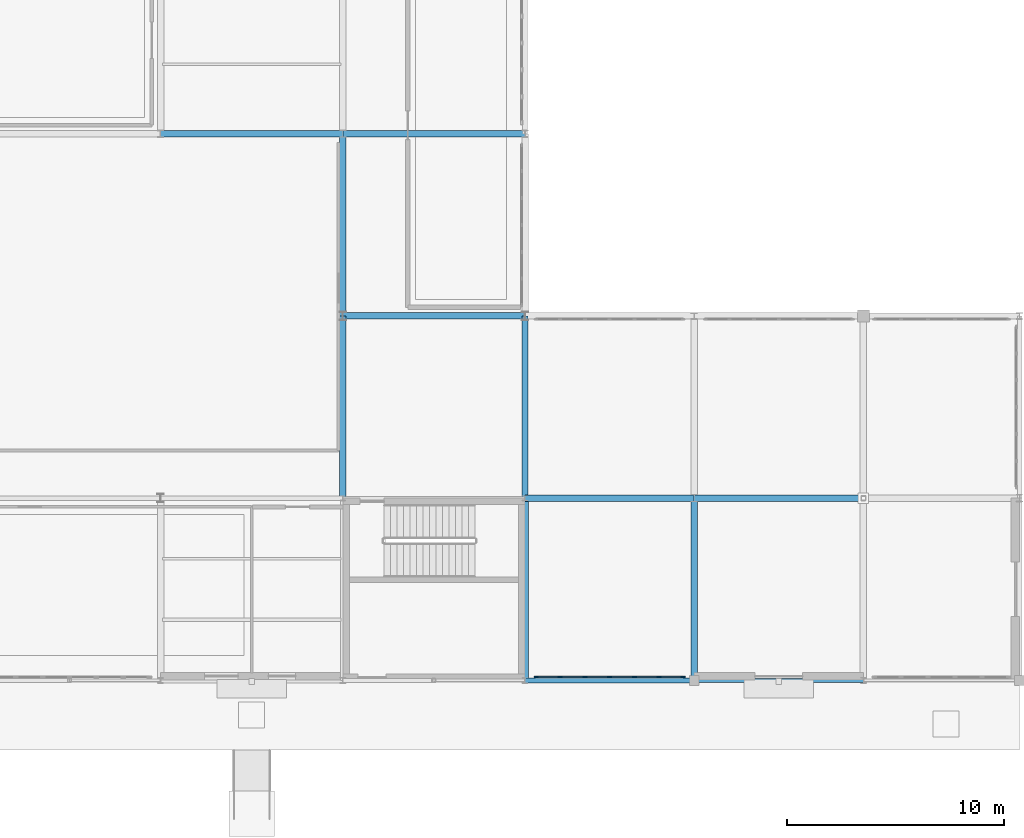
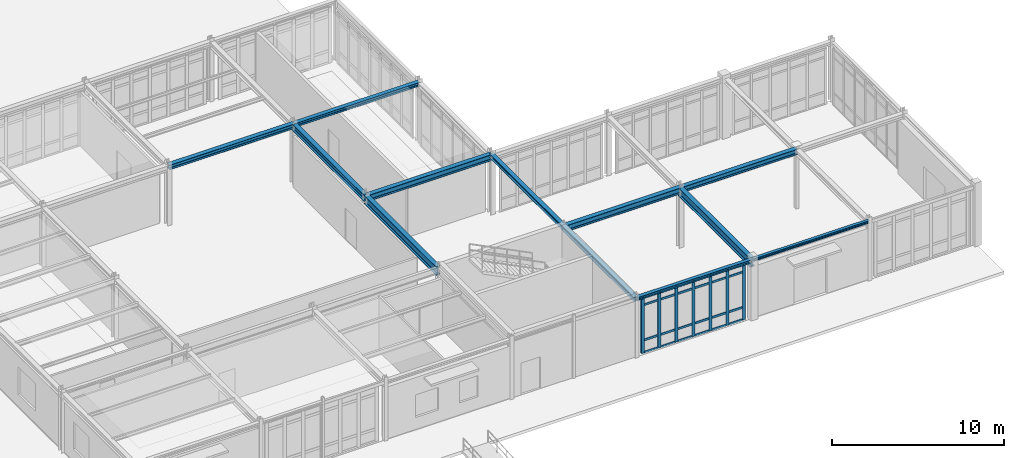
# One storey, part 51 of 101: 31 members, 12 beams, 1 element without a shape of its own.
"""IFC4 building model written with IfcOpenShell, lengths in metres."""

from ifc_helpers import new_model, si_unit, derived_unit, direction, frame, origin, origin_2d, place, context, subcontext, project, spatial, rectangle, i_section, extrude, material, layer, layer_set, material_profile, profile_set, type_object, element, aggregate, save


model = new_model("IFC4")

# Units and contexts
model_context = context("Model", 3, precision=1e-05, world=origin(), true_north=direction((0.0, 1.0)))
body_context = subcontext(model_context, "Body", "Model", "MODEL_VIEW")
ifc_project = project(units=[si_unit("LENGTHUNIT", "METRE"), si_unit("AREAUNIT", "SQUARE_METRE"), si_unit("VOLUMEUNIT", "CUBIC_METRE"), si_unit("PLANEANGLEUNIT", "RADIAN"), si_unit("MASSUNIT", "GRAM", prefix="KILO"), derived_unit("THERMALTRANSMITTANCEUNIT", [(si_unit("POWERUNIT", "WATT"), 1), (si_unit("AREAUNIT", "SQUARE_METRE"), -1), (si_unit("THERMODYNAMICTEMPERATUREUNIT", "KELVIN"), -1)])], contexts=[model_context])

# Site, building, storey
site_placement = place(None, origin())
site = spatial("IfcSite", under=ifc_project, at=site_placement, CompositionType="ELEMENT")
building_placement = place(site_placement, origin())
building = spatial("IfcBuilding", under=site, at=building_placement, Name="Yasenodar Specialist Clinic", CompositionType="ELEMENT")
storey_placement = place(building_placement, origin())
storey = spatial("IfcBuildingStorey", under=building, at=storey_placement, Name="L00", CompositionType="ELEMENT", Elevation=0.0)

# Beams
ifc_material_1 = material(Name="Steel S355", Category="steel")
ifc_material_profile_1 = material_profile(ifc_material_1, i_section(OverallWidth=0.280029296875, OverallDepth=0.27001953125, WebThickness=0.008056640625, FlangeThickness=0.012939453125, FilletRadius=0.02392578125, at=origin_2d()), Name="HEA 280")
ifc_profile_set_1 = profile_set([ifc_material_profile_1], Name="Steel S355")
beam_type_1 = type_object("IfcBeamType", Name="BM-HEA280", PredefinedType="BEAM", material=ifc_profile_set_1)
beam_1_placement = place(storey_placement, frame((130.199951171875, 25.199951171875, 4.114990234375), z_axis=(1.0, 0.0, 0.0), x_axis=(0.0, 1.0, 0.0)))
element("IfcBeam", 1, at=beam_1_placement, inside=storey, type_object=beam_type_1, Name="L00 Primary E-W Girder", PredefinedType="BEAM", context=body_context, shape_type="SweptSolid", body=[
    extrude(i_section(OverallWidth=0.280029296875, OverallDepth=0.27001953125, WebThickness=0.008056640625, FlangeThickness=0.012939453125, FilletRadius=0.02392578125, at=origin_2d()), origin(), (0.0, 0.0, 1.0), 8.400146484375),
])
ifc_material_profile_2 = material_profile(ifc_material_1, i_section(OverallWidth=0.300048828125, OverallDepth=0.330078125, WebThickness=0.009521484375, FlangeThickness=0.0166015625, FilletRadius=0.027099609375, at=origin_2d()), Name="HEA 340")
ifc_profile_set_2 = profile_set([ifc_material_profile_2], Name="Steel S355")
beam_type_2 = type_object("IfcBeamType", Name="BM-HEA340", PredefinedType="BEAM", material=ifc_profile_set_2)
beam_2_placement = place(storey_placement, frame((121.800048828125, 25.199951171875, 4.0849609375), z_axis=(1.0, 0.0, 0.0), x_axis=(0.0, 1.0, 0.0)))
element("IfcBeam", 2, at=beam_2_placement, inside=storey, type_object=beam_type_2, Name="L00 Primary E-W Girder", PredefinedType="BEAM", context=body_context, shape_type="SweptSolid", body=[
    extrude(i_section(OverallWidth=0.300048828125, OverallDepth=0.330078125, WebThickness=0.009521484375, FlangeThickness=0.0166015625, FilletRadius=0.027099609375, at=origin_2d()), origin(), (0.0, 0.0, 1.0), 8.39990234375),
])
ifc_material_profile_3 = material_profile(ifc_material_1, i_section(OverallWidth=0.300048828125, OverallDepth=0.389892578125, WebThickness=0.010986328125, FlangeThickness=0.01904296875, FilletRadius=0.027099609375, at=origin_2d()), Name="HEA 400")
ifc_profile_set_3 = profile_set([ifc_material_profile_3], Name="Steel S355")
beam_type_3 = type_object("IfcBeamType", Name="BM-HEA400", PredefinedType="BEAM", material=ifc_profile_set_3)
beam_3_placement = place(storey_placement, frame((146.39990234375, 8.39990234375, 4.054931640625), z_axis=(1.0, 0.0, 0.0), x_axis=(0.0, 1.0, 0.0)))
element("IfcBeam", 3, at=beam_3_placement, inside=storey, type_object=beam_type_3, Name="L00 Primary E-W Girder", PredefinedType="BEAM", context=body_context, shape_type="SweptSolid", body=[
    extrude(i_section(OverallWidth=0.300048828125, OverallDepth=0.389892578125, WebThickness=0.010986328125, FlangeThickness=0.01904296875, FilletRadius=0.027099609375, at=origin_2d()), origin(), (0.0, 0.0, 1.0), 7.800048828125),
])
ifc_material_profile_4 = material_profile(ifc_material_1, i_section(OverallWidth=0.300048828125, OverallDepth=0.43994140625, WebThickness=0.011474609375, FlangeThickness=0.02099609375, FilletRadius=0.027099609375, at=origin_2d()), Name="HEA 450")
ifc_profile_set_4 = profile_set([ifc_material_profile_4], Name="Steel S355")
beam_type_4 = type_object("IfcBeamType", Name="BM-HEA450", PredefinedType="BEAM", material=ifc_profile_set_4)
beam_4_placement = place(storey_placement, frame((138.60009765625, 8.39990234375, 4.030029296875), z_axis=(1.0, 0.0, 0.0), x_axis=(0.0, 1.0, 0.0)))
element("IfcBeam", 4, at=beam_4_placement, inside=storey, type_object=beam_type_4, Name="L00 Primary E-W Girder", PredefinedType="BEAM", context=body_context, shape_type="SweptSolid", body=[
    extrude(i_section(OverallWidth=0.300048828125, OverallDepth=0.43994140625, WebThickness=0.011474609375, FlangeThickness=0.02099609375, FilletRadius=0.027099609375, at=origin_2d()), origin(), (0.0, 0.0, 1.0), 7.7998046875),
])
beam_5_placement = place(storey_placement, frame((130.199951171875, 16.800048828125, 4.030029296875), z_axis=(1.0, 0.0, 0.0), x_axis=(0.0, 1.0, 0.0)))
element("IfcBeam", 5, at=beam_5_placement, inside=storey, type_object=beam_type_4, Name="L00 Primary E-W Girder", PredefinedType="BEAM", context=body_context, shape_type="SweptSolid", body=[
    extrude(i_section(OverallWidth=0.300048828125, OverallDepth=0.43994140625, WebThickness=0.011474609375, FlangeThickness=0.02099609375, FilletRadius=0.027099609375, at=origin_2d()), origin(), (0.0, 0.0, 1.0), 8.400146484375),
])
ifc_material_profile_5 = material_profile(ifc_material_1, i_section(OverallWidth=0.280029296875, OverallDepth=0.280029296875, WebThickness=0.010498046875, FlangeThickness=0.01806640625, FilletRadius=0.02392578125, at=origin_2d()), Name="HEB 280")
ifc_profile_set_5 = profile_set([ifc_material_profile_5], Name="Steel S355")
beam_type_5 = type_object("IfcBeamType", Name="BM-HEB280", PredefinedType="BEAM", material=ifc_profile_set_5)
beam_6_placement = place(storey_placement, frame((138.60009765625, 8.39990234375, 4.110107421875), z_axis=(0.0, 1.0, 0.0), x_axis=(-1.0, 0.0, 0.0)))
element("IfcBeam", 6, at=beam_6_placement, inside=storey, type_object=beam_type_5, Name="L00 Primary N-S Girder", PredefinedType="BEAM", context=body_context, shape_type="SweptSolid", body=[
    extrude(i_section(OverallWidth=0.280029296875, OverallDepth=0.280029296875, WebThickness=0.010498046875, FlangeThickness=0.01806640625, FilletRadius=0.02392578125, at=origin_2d()), origin(), (0.0, 0.0, 1.0), 8.400146484375),
])
ifc_material_profile_6 = material_profile(ifc_material_1, i_section(OverallWidth=0.300048828125, OverallDepth=0.300048828125, WebThickness=0.010986328125, FlangeThickness=0.01904296875, FilletRadius=0.027099609375, at=origin_2d()), Name="HEB 300")
ifc_profile_set_6 = profile_set([ifc_material_profile_6], Name="Steel S355")
beam_type_6 = type_object("IfcBeamType", Name="BM-HEB300", PredefinedType="BEAM", material=ifc_profile_set_6)
beam_7_placement = place(storey_placement, frame((138.60009765625, 0.0, 4.10009765625), z_axis=(0.0, 1.0, 0.0), x_axis=(-1.0, 0.0, 0.0)))
element("IfcBeam", 7, at=beam_7_placement, inside=storey, type_object=beam_type_6, Name="L00 Primary N-S Girder", PredefinedType="BEAM", context=body_context, shape_type="SweptSolid", body=[
    extrude(i_section(OverallWidth=0.300048828125, OverallDepth=0.300048828125, WebThickness=0.010986328125, FlangeThickness=0.01904296875, FilletRadius=0.027099609375, at=origin_2d()), origin(), (0.0, 0.0, 1.0), 8.39990234375),
])
ifc_material_profile_7 = material_profile(ifc_material_1, i_section(OverallWidth=0.300048828125, OverallDepth=0.449951171875, WebThickness=0.013916015625, FlangeThickness=0.02587890625, FilletRadius=0.027099609375, at=origin_2d()), Name="HEB 450")
ifc_profile_set_7 = profile_set([ifc_material_profile_7], Name="Steel S355")
beam_type_7 = type_object("IfcBeamType", Name="BM-HEB450", PredefinedType="BEAM", material=ifc_profile_set_7)
beam_8_placement = place(storey_placement, frame((130.199951171875, 16.800048828125, 4.02490234375), z_axis=(0.0, 1.0, 0.0), x_axis=(-1.0, 0.0, 0.0)))
element("IfcBeam", 8, at=beam_8_placement, inside=storey, type_object=beam_type_7, Name="L00 Primary N-S Girder", PredefinedType="BEAM", context=body_context, shape_type="SweptSolid", body=[
    extrude(i_section(OverallWidth=0.300048828125, OverallDepth=0.449951171875, WebThickness=0.013916015625, FlangeThickness=0.02587890625, FilletRadius=0.027099609375, at=origin_2d()), origin(), (0.0, 0.0, 1.0), 8.39990234375),
])
ifc_material_profile_8 = material_profile(ifc_material_1, i_section(OverallWidth=0.300048828125, OverallDepth=0.60009765625, WebThickness=0.015380859375, FlangeThickness=0.030029296875, FilletRadius=0.027099609375, at=origin_2d()), Name="HEB 600")
ifc_profile_set_8 = profile_set([ifc_material_profile_8], Name="Steel S355")
beam_type_8 = type_object("IfcBeamType", Name="BM-HEB600", PredefinedType="BEAM", material=ifc_profile_set_8)
beam_9_placement = place(storey_placement, frame((130.199951171875, 8.39990234375, 3.949951171875), z_axis=(0.0, 1.0, 0.0), x_axis=(-1.0, 0.0, 0.0)))
element("IfcBeam", 9, at=beam_9_placement, inside=storey, type_object=beam_type_8, Name="L00 Primary N-S Girder", PredefinedType="BEAM", context=body_context, shape_type="SweptSolid", body=[
    extrude(i_section(OverallWidth=0.300048828125, OverallDepth=0.60009765625, WebThickness=0.015380859375, FlangeThickness=0.030029296875, FilletRadius=0.027099609375, at=origin_2d()), origin(), (0.0, 0.0, 1.0), 8.400146484375),
])
beam_10_placement = place(storey_placement, frame((146.39990234375, 0.0, 3.949951171875), z_axis=(0.0, 1.0, 0.0), x_axis=(-1.0, 0.0, 0.0)))
element("IfcBeam", 10, at=beam_10_placement, inside=storey, type_object=beam_type_8, Name="L00 Primary N-S Girder", PredefinedType="BEAM", context=body_context, shape_type="SweptSolid", body=[
    extrude(i_section(OverallWidth=0.300048828125, OverallDepth=0.60009765625, WebThickness=0.015380859375, FlangeThickness=0.030029296875, FilletRadius=0.027099609375, at=origin_2d()), origin(), (0.0, 0.0, 1.0), 8.39990234375),
])

# Curtain wall, members
ifc_material_2 = material(Name="Bronze Anodized Aluminium and Triple Low-E Glass", Category="aluminium")
ifc_layer = layer(ifc_material_2, 0.178955078125)
ifc_layer_set = layer_set([ifc_layer], Name="Bronze Anodized Aluminium and Triple Low-E Glass")
curtain_wall_type = type_object("IfcCurtainWallType", Name="CW-SYS-02", PredefinedType="USERDEFINED", material=ifc_layer_set)
curtain_wall_placement = place(storey_placement, origin())
curtain_wall = element("IfcCurtainWall", 11, at=curtain_wall_placement, inside=storey, type_object=curtain_wall_type, Name="L00 Unitised Curtain Wall 079", ObjectType="UNITISED CURTAIN WALL", PredefinedType="USERDEFINED")
ifc_material_3 = material(Name="Bronze Anodized Aluminium", Category="aluminium")
ifc_material_profile_9 = material_profile(ifc_material_3, rectangle(XDim=0.070068359375, YDim=0.199951171875, at=origin_2d()), Name="CW-MULL 70x200")
ifc_profile_set_9 = profile_set([ifc_material_profile_9], Name="Bronze Anodized Aluminium")
member_type_1 = type_object("IfcMemberType", Name="CW-MULL-200", PredefinedType="MULLION", material=ifc_profile_set_9)
member_1_placement = place(storey_placement, frame((145.885009765625, 0.14990234375, 0.0), z_axis=(0.0, 0.0, 1.0), x_axis=(0.0, -1.0, 0.0)))
member_1 = element("IfcMember", 12, at=member_1_placement, type_object=member_type_1, Name="CW-02 mullion 1", PredefinedType="MULLION", context=body_context, shape_type="SweptSolid", body=[
    extrude(rectangle(XDim=0.070068359375, YDim=0.199951171875, at=origin_2d()), origin(), (0.0, 0.0, 1.0), 3.998046875),
])
member_2_placement = place(storey_placement, frame((144.780029296875, 0.14990234375, 0.0), z_axis=(0.0, 0.0, 1.0), x_axis=(0.0, -1.0, 0.0)))
member_2 = element("IfcMember", 13, at=member_2_placement, type_object=member_type_1, Name="CW-02 mullion 2", PredefinedType="MULLION", context=body_context, shape_type="SweptSolid", body=[
    extrude(rectangle(XDim=0.070068359375, YDim=0.199951171875, at=origin_2d()), origin(), (0.0, 0.0, 1.0), 3.998046875),
])
member_3_placement = place(storey_placement, frame((143.639892578125, 0.14990234375, 0.0), z_axis=(0.0, 0.0, 1.0), x_axis=(0.0, -1.0, 0.0)))
member_3 = element("IfcMember", 14, at=member_3_placement, type_object=member_type_1, Name="CW-02 mullion 3", PredefinedType="MULLION", context=body_context, shape_type="SweptSolid", body=[
    extrude(rectangle(XDim=0.070068359375, YDim=0.199951171875, at=origin_2d()), origin(), (0.0, 0.0, 1.0), 3.998046875),
])
member_4_placement = place(storey_placement, frame((142.5, 0.14990234375, 0.0), z_axis=(0.0, 0.0, 1.0), x_axis=(0.0, -1.0, 0.0)))
member_4 = element("IfcMember", 15, at=member_4_placement, type_object=member_type_1, Name="CW-02 mullion 4", PredefinedType="MULLION", context=body_context, shape_type="SweptSolid", body=[
    extrude(rectangle(XDim=0.070068359375, YDim=0.199951171875, at=origin_2d()), origin(), (0.0, 0.0, 1.0), 3.998046875),
])
member_5_placement = place(storey_placement, frame((141.360107421875, 0.14990234375, 0.0), z_axis=(0.0, 0.0, 1.0), x_axis=(0.0, -1.0, 0.0)))
member_5 = element("IfcMember", 16, at=member_5_placement, type_object=member_type_1, Name="CW-02 mullion 5", PredefinedType="MULLION", context=body_context, shape_type="SweptSolid", body=[
    extrude(rectangle(XDim=0.070068359375, YDim=0.199951171875, at=origin_2d()), origin(), (0.0, 0.0, 1.0), 3.998046875),
])
member_6_placement = place(storey_placement, frame((140.219970703125, 0.14990234375, 0.0), z_axis=(0.0, 0.0, 1.0), x_axis=(0.0, -1.0, 0.0)))
member_6 = element("IfcMember", 17, at=member_6_placement, type_object=member_type_1, Name="CW-02 mullion 6", PredefinedType="MULLION", context=body_context, shape_type="SweptSolid", body=[
    extrude(rectangle(XDim=0.070068359375, YDim=0.199951171875, at=origin_2d()), origin(), (0.0, 0.0, 1.0), 3.998046875),
])
member_7_placement = place(storey_placement, frame((139.114990234375, 0.14990234375, 0.0), z_axis=(0.0, 0.0, 1.0), x_axis=(0.0, -1.0, 0.0)))
member_7 = element("IfcMember", 18, at=member_7_placement, type_object=member_type_1, Name="CW-02 mullion 7", PredefinedType="MULLION", context=body_context, shape_type="SweptSolid", body=[
    extrude(rectangle(XDim=0.070068359375, YDim=0.199951171875, at=origin_2d()), origin(), (0.0, 0.0, 1.0), 3.998046875),
])
ifc_material_profile_10 = material_profile(ifc_material_3, rectangle(XDim=0.070068359375, YDim=0.14990234375, at=origin_2d()), Name="CW-TRAN 70x150")
ifc_profile_set_10 = profile_set([ifc_material_profile_10], Name="Bronze Anodized Aluminium")
member_type_2 = type_object("IfcMemberType", Name="CW-TRAN-150", PredefinedType="USERDEFINED", material=ifc_profile_set_10)
member_8_placement = place(storey_placement, frame((145.85009765625, 0.14990234375, 0.034912109375), z_axis=(-1.0, 0.0, 0.0), x_axis=(0.0, -1.0, 0.0)))
member_8 = element("IfcMember", 19, at=member_8_placement, type_object=member_type_2, Name="CW-02 transom 1.1", ObjectType="TRANSOM", PredefinedType="USERDEFINED", context=body_context, shape_type="SweptSolid", body=[
    extrude(rectangle(XDim=0.070068359375, YDim=0.14990234375, at=origin_2d()), origin(), (0.0, 0.0, 1.0), 1.03515625),
])
member_9_placement = place(storey_placement, frame((145.85009765625, 0.14990234375, 0.89990234375), z_axis=(-1.0, 0.0, 0.0), x_axis=(0.0, -1.0, 0.0)))
member_9 = element("IfcMember", 20, at=member_9_placement, type_object=member_type_2, Name="CW-02 transom 1.2", ObjectType="TRANSOM", PredefinedType="USERDEFINED", context=body_context, shape_type="SweptSolid", body=[
    extrude(rectangle(XDim=0.070068359375, YDim=0.14990234375, at=origin_2d()), origin(), (0.0, 0.0, 1.0), 1.03515625),
])
member_10_placement = place(storey_placement, frame((145.85009765625, 0.14990234375, 3.39794921875), z_axis=(-1.0, 0.0, 0.0), x_axis=(0.0, -1.0, 0.0)))
member_10 = element("IfcMember", 21, at=member_10_placement, type_object=member_type_2, Name="CW-02 transom 1.3", ObjectType="TRANSOM", PredefinedType="USERDEFINED", context=body_context, shape_type="SweptSolid", body=[
    extrude(rectangle(XDim=0.070068359375, YDim=0.14990234375, at=origin_2d()), origin(), (0.0, 0.0, 1.0), 1.03515625),
])
member_11_placement = place(storey_placement, frame((145.85009765625, 0.14990234375, 3.962890625), z_axis=(-1.0, 0.0, 0.0), x_axis=(0.0, -1.0, 0.0)))
member_11 = element("IfcMember", 22, at=member_11_placement, type_object=member_type_2, Name="CW-02 transom 1.4", ObjectType="TRANSOM", PredefinedType="USERDEFINED", context=body_context, shape_type="SweptSolid", body=[
    extrude(rectangle(XDim=0.070068359375, YDim=0.14990234375, at=origin_2d()), origin(), (0.0, 0.0, 1.0), 1.03515625),
])
member_12_placement = place(storey_placement, frame((144.7451171875, 0.14990234375, 0.034912109375), z_axis=(-1.0, 0.0, 0.0), x_axis=(0.0, -1.0, 0.0)))
member_12 = element("IfcMember", 23, at=member_12_placement, type_object=member_type_2, Name="CW-02 transom 2.1", ObjectType="TRANSOM", PredefinedType="USERDEFINED", context=body_context, shape_type="SweptSolid", body=[
    extrude(rectangle(XDim=0.070068359375, YDim=0.14990234375, at=origin_2d()), origin(), (0.0, 0.0, 1.0), 1.070068359375),
])
member_13_placement = place(storey_placement, frame((144.7451171875, 0.14990234375, 0.89990234375), z_axis=(-1.0, 0.0, 0.0), x_axis=(0.0, -1.0, 0.0)))
member_13 = element("IfcMember", 24, at=member_13_placement, type_object=member_type_2, Name="CW-02 transom 2.2", ObjectType="TRANSOM", PredefinedType="USERDEFINED", context=body_context, shape_type="SweptSolid", body=[
    extrude(rectangle(XDim=0.070068359375, YDim=0.14990234375, at=origin_2d()), origin(), (0.0, 0.0, 1.0), 1.070068359375),
])
member_14_placement = place(storey_placement, frame((144.7451171875, 0.14990234375, 3.39794921875), z_axis=(-1.0, 0.0, 0.0), x_axis=(0.0, -1.0, 0.0)))
member_14 = element("IfcMember", 25, at=member_14_placement, type_object=member_type_2, Name="CW-02 transom 2.3", ObjectType="TRANSOM", PredefinedType="USERDEFINED", context=body_context, shape_type="SweptSolid", body=[
    extrude(rectangle(XDim=0.070068359375, YDim=0.14990234375, at=origin_2d()), origin(), (0.0, 0.0, 1.0), 1.070068359375),
])
member_15_placement = place(storey_placement, frame((144.7451171875, 0.14990234375, 3.962890625), z_axis=(-1.0, 0.0, 0.0), x_axis=(0.0, -1.0, 0.0)))
member_15 = element("IfcMember", 26, at=member_15_placement, type_object=member_type_2, Name="CW-02 transom 2.4", ObjectType="TRANSOM", PredefinedType="USERDEFINED", context=body_context, shape_type="SweptSolid", body=[
    extrude(rectangle(XDim=0.070068359375, YDim=0.14990234375, at=origin_2d()), origin(), (0.0, 0.0, 1.0), 1.070068359375),
])
member_16_placement = place(storey_placement, frame((143.60498046875, 0.14990234375, 0.034912109375), z_axis=(-1.0, 0.0, 0.0), x_axis=(0.0, -1.0, 0.0)))
member_16 = element("IfcMember", 27, at=member_16_placement, type_object=member_type_2, Name="CW-02 transom 3.1", ObjectType="TRANSOM", PredefinedType="USERDEFINED", context=body_context, shape_type="SweptSolid", body=[
    extrude(rectangle(XDim=0.070068359375, YDim=0.14990234375, at=origin_2d()), origin(), (0.0, 0.0, 1.0), 1.070068359375),
])
member_17_placement = place(storey_placement, frame((143.60498046875, 0.14990234375, 0.89990234375), z_axis=(-1.0, 0.0, 0.0), x_axis=(0.0, -1.0, 0.0)))
member_17 = element("IfcMember", 28, at=member_17_placement, type_object=member_type_2, Name="CW-02 transom 3.2", ObjectType="TRANSOM", PredefinedType="USERDEFINED", context=body_context, shape_type="SweptSolid", body=[
    extrude(rectangle(XDim=0.070068359375, YDim=0.14990234375, at=origin_2d()), origin(), (0.0, 0.0, 1.0), 1.070068359375),
])
member_18_placement = place(storey_placement, frame((143.60498046875, 0.14990234375, 3.39794921875), z_axis=(-1.0, 0.0, 0.0), x_axis=(0.0, -1.0, 0.0)))
member_18 = element("IfcMember", 29, at=member_18_placement, type_object=member_type_2, Name="CW-02 transom 3.3", ObjectType="TRANSOM", PredefinedType="USERDEFINED", context=body_context, shape_type="SweptSolid", body=[
    extrude(rectangle(XDim=0.070068359375, YDim=0.14990234375, at=origin_2d()), origin(), (0.0, 0.0, 1.0), 1.070068359375),
])
member_19_placement = place(storey_placement, frame((143.60498046875, 0.14990234375, 3.962890625), z_axis=(-1.0, 0.0, 0.0), x_axis=(0.0, -1.0, 0.0)))
member_19 = element("IfcMember", 30, at=member_19_placement, type_object=member_type_2, Name="CW-02 transom 3.4", ObjectType="TRANSOM", PredefinedType="USERDEFINED", context=body_context, shape_type="SweptSolid", body=[
    extrude(rectangle(XDim=0.070068359375, YDim=0.14990234375, at=origin_2d()), origin(), (0.0, 0.0, 1.0), 1.070068359375),
])
member_20_placement = place(storey_placement, frame((142.465087890625, 0.14990234375, 0.034912109375), z_axis=(-1.0, 0.0, 0.0), x_axis=(0.0, -1.0, 0.0)))
member_20 = element("IfcMember", 31, at=member_20_placement, type_object=member_type_2, Name="CW-02 transom 4.1", ObjectType="TRANSOM", PredefinedType="USERDEFINED", context=body_context, shape_type="SweptSolid", body=[
    extrude(rectangle(XDim=0.070068359375, YDim=0.14990234375, at=origin_2d()), origin(), (0.0, 0.0, 1.0), 1.070068359375),
])
member_21_placement = place(storey_placement, frame((142.465087890625, 0.14990234375, 0.89990234375), z_axis=(-1.0, 0.0, 0.0), x_axis=(0.0, -1.0, 0.0)))
member_21 = element("IfcMember", 32, at=member_21_placement, type_object=member_type_2, Name="CW-02 transom 4.2", ObjectType="TRANSOM", PredefinedType="USERDEFINED", context=body_context, shape_type="SweptSolid", body=[
    extrude(rectangle(XDim=0.070068359375, YDim=0.14990234375, at=origin_2d()), origin(), (0.0, 0.0, 1.0), 1.070068359375),
])
member_22_placement = place(storey_placement, frame((142.465087890625, 0.14990234375, 3.39794921875), z_axis=(-1.0, 0.0, 0.0), x_axis=(0.0, -1.0, 0.0)))
member_22 = element("IfcMember", 33, at=member_22_placement, type_object=member_type_2, Name="CW-02 transom 4.3", ObjectType="TRANSOM", PredefinedType="USERDEFINED", context=body_context, shape_type="SweptSolid", body=[
    extrude(rectangle(XDim=0.070068359375, YDim=0.14990234375, at=origin_2d()), origin(), (0.0, 0.0, 1.0), 1.070068359375),
])
member_23_placement = place(storey_placement, frame((142.465087890625, 0.14990234375, 3.962890625), z_axis=(-1.0, 0.0, 0.0), x_axis=(0.0, -1.0, 0.0)))
member_23 = element("IfcMember", 34, at=member_23_placement, type_object=member_type_2, Name="CW-02 transom 4.4", ObjectType="TRANSOM", PredefinedType="USERDEFINED", context=body_context, shape_type="SweptSolid", body=[
    extrude(rectangle(XDim=0.070068359375, YDim=0.14990234375, at=origin_2d()), origin(), (0.0, 0.0, 1.0), 1.070068359375),
])
member_24_placement = place(storey_placement, frame((141.324951171875, 0.14990234375, 0.034912109375), z_axis=(-1.0, 0.0, 0.0), x_axis=(0.0, -1.0, 0.0)))
member_24 = element("IfcMember", 35, at=member_24_placement, type_object=member_type_2, Name="CW-02 transom 5.1", ObjectType="TRANSOM", PredefinedType="USERDEFINED", context=body_context, shape_type="SweptSolid", body=[
    extrude(rectangle(XDim=0.070068359375, YDim=0.14990234375, at=origin_2d()), origin(), (0.0, 0.0, 1.0), 1.070068359375),
])
member_25_placement = place(storey_placement, frame((141.324951171875, 0.14990234375, 0.89990234375), z_axis=(-1.0, 0.0, 0.0), x_axis=(0.0, -1.0, 0.0)))
member_25 = element("IfcMember", 36, at=member_25_placement, type_object=member_type_2, Name="CW-02 transom 5.2", ObjectType="TRANSOM", PredefinedType="USERDEFINED", context=body_context, shape_type="SweptSolid", body=[
    extrude(rectangle(XDim=0.070068359375, YDim=0.14990234375, at=origin_2d()), origin(), (0.0, 0.0, 1.0), 1.070068359375),
])
member_26_placement = place(storey_placement, frame((141.324951171875, 0.14990234375, 3.39794921875), z_axis=(-1.0, 0.0, 0.0), x_axis=(0.0, -1.0, 0.0)))
member_26 = element("IfcMember", 37, at=member_26_placement, type_object=member_type_2, Name="CW-02 transom 5.3", ObjectType="TRANSOM", PredefinedType="USERDEFINED", context=body_context, shape_type="SweptSolid", body=[
    extrude(rectangle(XDim=0.070068359375, YDim=0.14990234375, at=origin_2d()), origin(), (0.0, 0.0, 1.0), 1.070068359375),
])
member_27_placement = place(storey_placement, frame((141.324951171875, 0.14990234375, 3.962890625), z_axis=(-1.0, 0.0, 0.0), x_axis=(0.0, -1.0, 0.0)))
member_27 = element("IfcMember", 38, at=member_27_placement, type_object=member_type_2, Name="CW-02 transom 5.4", ObjectType="TRANSOM", PredefinedType="USERDEFINED", context=body_context, shape_type="SweptSolid", body=[
    extrude(rectangle(XDim=0.070068359375, YDim=0.14990234375, at=origin_2d()), origin(), (0.0, 0.0, 1.0), 1.070068359375),
])
member_28_placement = place(storey_placement, frame((140.18505859375, 0.14990234375, 0.034912109375), z_axis=(-1.0, 0.0, 0.0), x_axis=(0.0, -1.0, 0.0)))
member_28 = element("IfcMember", 39, at=member_28_placement, type_object=member_type_2, Name="CW-02 transom 6.1", ObjectType="TRANSOM", PredefinedType="USERDEFINED", context=body_context, shape_type="SweptSolid", body=[
    extrude(rectangle(XDim=0.070068359375, YDim=0.14990234375, at=origin_2d()), origin(), (0.0, 0.0, 1.0), 1.03515625),
])
member_29_placement = place(storey_placement, frame((140.18505859375, 0.14990234375, 0.89990234375), z_axis=(-1.0, 0.0, 0.0), x_axis=(0.0, -1.0, 0.0)))
member_29 = element("IfcMember", 40, at=member_29_placement, type_object=member_type_2, Name="CW-02 transom 6.2", ObjectType="TRANSOM", PredefinedType="USERDEFINED", context=body_context, shape_type="SweptSolid", body=[
    extrude(rectangle(XDim=0.070068359375, YDim=0.14990234375, at=origin_2d()), origin(), (0.0, 0.0, 1.0), 1.03515625),
])
member_30_placement = place(storey_placement, frame((140.18505859375, 0.14990234375, 3.39794921875), z_axis=(-1.0, 0.0, 0.0), x_axis=(0.0, -1.0, 0.0)))
member_30 = element("IfcMember", 41, at=member_30_placement, type_object=member_type_2, Name="CW-02 transom 6.3", ObjectType="TRANSOM", PredefinedType="USERDEFINED", context=body_context, shape_type="SweptSolid", body=[
    extrude(rectangle(XDim=0.070068359375, YDim=0.14990234375, at=origin_2d()), origin(), (0.0, 0.0, 1.0), 1.03515625),
])
member_31_placement = place(storey_placement, frame((140.18505859375, 0.14990234375, 3.962890625), z_axis=(-1.0, 0.0, 0.0), x_axis=(0.0, -1.0, 0.0)))
member_31 = element("IfcMember", 42, at=member_31_placement, type_object=member_type_2, Name="CW-02 transom 6.4", ObjectType="TRANSOM", PredefinedType="USERDEFINED", context=body_context, shape_type="SweptSolid", body=[
    extrude(rectangle(XDim=0.070068359375, YDim=0.14990234375, at=origin_2d()), origin(), (0.0, 0.0, 1.0), 1.03515625),
])
aggregate(curtain_wall, [member_1, member_2, member_3, member_4, member_5, member_6, member_7, member_8, member_9, member_10, member_11, member_12, member_13, member_14, member_15, member_16, member_17, member_18, member_19, member_20, member_21, member_22, member_23, member_24, member_25, member_26, member_27, member_28, member_29, member_30, member_31])

# Beams
ifc_material_profile_11 = material_profile(ifc_material_1, i_section(OverallWidth=0.199951171875, OverallDepth=0.18994140625, WebThickness=0.006591796875, FlangeThickness=0.010009765625, FilletRadius=0.01806640625, at=origin_2d()), Name="HEA 200")
ifc_profile_set_11 = profile_set([ifc_material_profile_11], Name="Steel S355")
beam_type_9 = type_object("IfcBeamType", Name="SP-HEA200", PredefinedType="SPANDREL", material=ifc_profile_set_11)
beam_11_placement = place(storey_placement, frame((146.39990234375, 0.0, 4.155029296875), z_axis=(1.0, 0.0, 0.0), x_axis=(0.0, 1.0, 0.0)))
element("IfcBeam", 43, at=beam_11_placement, inside=storey, type_object=beam_type_9, Name="L00 Perimeter Spandrel Beam", PredefinedType="SPANDREL", context=body_context, shape_type="SweptSolid", body=[
    extrude(i_section(OverallWidth=0.199951171875, OverallDepth=0.18994140625, WebThickness=0.006591796875, FlangeThickness=0.010009765625, FilletRadius=0.01806640625, at=origin_2d()), origin(), (0.0, 0.0, 1.0), 7.800048828125),
])
ifc_material_profile_12 = material_profile(ifc_material_1, i_section(OverallWidth=0.239990234375, OverallDepth=0.22998046875, WebThickness=0.007568359375, FlangeThickness=0.011962890625, FilletRadius=0.02099609375, at=origin_2d()), Name="HEA 240")
ifc_profile_set_12 = profile_set([ifc_material_profile_12], Name="Steel S355")
beam_type_10 = type_object("IfcBeamType", Name="SP-HEA240", PredefinedType="SPANDREL", material=ifc_profile_set_12)
beam_12_placement = place(storey_placement, frame((138.60009765625, 0.0, 4.135009765625), z_axis=(1.0, 0.0, 0.0), x_axis=(0.0, 1.0, 0.0)))
element("IfcBeam", 44, at=beam_12_placement, inside=storey, type_object=beam_type_10, Name="L00 Perimeter Spandrel Beam", PredefinedType="SPANDREL", context=body_context, shape_type="SweptSolid", body=[
    extrude(i_section(OverallWidth=0.239990234375, OverallDepth=0.22998046875, WebThickness=0.007568359375, FlangeThickness=0.011962890625, FilletRadius=0.02099609375, at=origin_2d()), origin(), (0.0, 0.0, 1.0), 7.7998046875),
])

save(model, "model.ifc")
